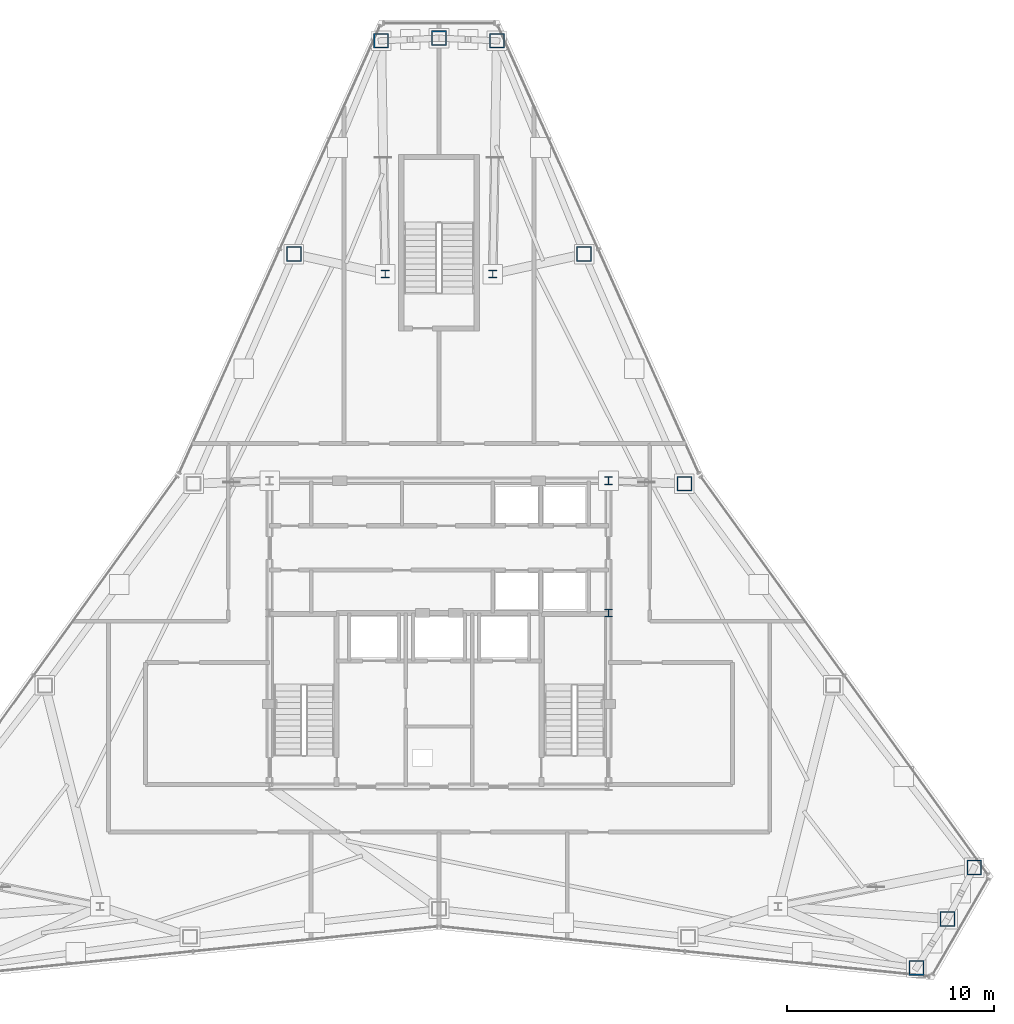
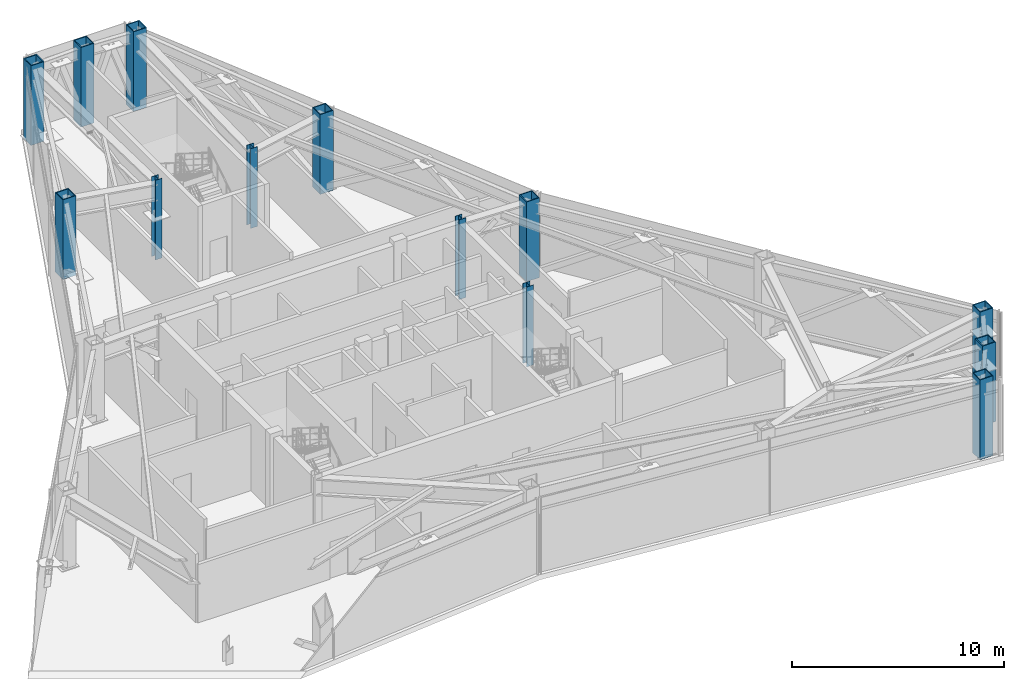
# One storey, part 2 of 12: 13 columns.
"""IFC4 building model written with IfcOpenShell, lengths in metres."""

from ifc_helpers import new_model, si_unit, direction, frame, origin, origin_2d, place, context, subcontext, project, spatial, hollow_rectangle, i_section, extrude, material, material_profile, profile_set, type_object, element, save


model = new_model("IFC4")

# Units and contexts
model_context = context("Model", 3, precision=1e-05, world=origin(), true_north=direction((0.0, 1.0)))
body_context = subcontext(model_context, "Body", "Model", "MODEL_VIEW")
ifc_project = project(units=[si_unit("LENGTHUNIT", "METRE"), si_unit("AREAUNIT", "SQUARE_METRE"), si_unit("VOLUMEUNIT", "CUBIC_METRE"), si_unit("PLANEANGLEUNIT", "RADIAN"), si_unit("MASSUNIT", "GRAM", prefix="KILO")], contexts=[model_context])

# Site, building, storey
site_placement = place(None, origin())
site = spatial("IfcSite", under=ifc_project, at=site_placement, CompositionType="ELEMENT")
building_placement = place(site_placement, origin())
building = spatial("IfcBuilding", under=site, at=building_placement, Name="Varakhsha Concourse Tower", CompositionType="ELEMENT")
storey_placement = place(building_placement, frame((0.0, 0.0, 250.39990234375)))
storey = spatial("IfcBuildingStorey", under=building, at=storey_placement, Name="L71", CompositionType="ELEMENT", Elevation=250.39990234375)

# Columns
ifc_material_1 = material(Name="Structural Steel ASTM A992 Grade 50", Category="steel")
ifc_material_profile_1 = material_profile(ifc_material_1, i_section(OverallWidth=0.3740234375, OverallDepth=0.3720703125, WebThickness=0.01611328125, FlangeThickness=0.02587890625, at=origin_2d()), Name="W14X132")
ifc_profile_set_1 = profile_set([ifc_material_profile_1], Name="Structural Steel ASTM A992 Grade 50")
column_type_1 = type_object("IfcColumnType", Name="CL-CORE-W14X132", PredefinedType="COLUMN", material=ifc_profile_set_1)
for number, where, z_axis, x_axis, name in (
    (1, (48.199951171875, 24.800048828125, 0.0), (0.0, 0.0, 1.0), (1.0, 0.0, 0.0), "L71 Core Column CC-ME"),
    (2, (48.199951171875, 31.199951171875, 0.0), (0.0, 0.0, 1.0), (1.0, 0.0, 0.0), "L71 Core Column CC-NE"),
    (3, (37.39990234375, 41.199951171875, 0.0), (0.0, 0.0, 1.0), (1.0, 0.0, 0.0), "L71 Core Column NS-W"),
    (4, (42.60009765625, 41.199951171875, 0.0), (0.0, 0.0, 1.0), (1.0, 0.0, 0.0), "L71 Core Column NS-E"),
):
    element("IfcColumn", number, at=place(storey_placement, frame(where, z_axis=z_axis, x_axis=x_axis)), inside=storey, type_object=column_type_1, Name=name, PredefinedType="COLUMN", context=body_context, shape_type="SweptSolid", body=[
        extrude(i_section(OverallWidth=0.3740234375, OverallDepth=0.3720703125, WebThickness=0.01611328125, FlangeThickness=0.02587890625, at=origin_2d()), origin(), (0.0, 0.0, 1.0), 4.60009765625),
    ])
ifc_material_2 = material(Name="Structural Steel ASTM A572 Grade 50", Category="steel")
ifc_material_profile_2 = material_profile(ifc_material_2, hollow_rectangle(XDim=0.719970703125, YDim=0.719970703125, WallThickness=0.050048828125, at=origin_2d()), Name="BOX 720x720x50")
ifc_profile_set_2 = profile_set([ifc_material_profile_2], Name="Structural Steel ASTM A572 Grade 50")
column_type_2 = type_object("IfcColumnType", Name="CL-TUBE-720", PredefinedType="COLUMN", material=ifc_profile_set_2)
for number, where, z_axis, x_axis, name in (
    (5, (42.80029296875, 52.489990234375, 0.0), (0.0, 0.0, 1.0), (1.0, 0.0, 0.0), "L71 Framed-Tube Column TC01"),
    (6, (40.0, 52.6171875, 0.0), (0.0, 0.0, 1.0), (1.0, 0.0, 0.0), "L71 Framed-Tube Column TC02"),
    (7, (37.19970703125, 52.489990234375, 0.0), (0.0, 0.0, 1.0), (1.0, 0.0, 0.0), "L71 Framed-Tube Column TC03"),
    (8, (32.977294921875, 42.168701171875, 0.0), (0.0, 0.0, 1.0), (1.0, 0.0, 0.0), "L71 Framed-Tube Column TC04"),
    (9, (63.099609375, 7.6298828125, 0.0), (0.0, 0.0, 1.0), (1.0, 0.0, 0.0), "L71 Framed-Tube Column TC13"),
    (10, (64.60986328125, 9.991455078125, 0.0), (0.0, 0.0, 1.0), (1.0, 0.0, 0.0), "L71 Framed-Tube Column TC14"),
    (11, (65.89990234375, 12.47998046875, 0.0), (0.0, 0.0, 1.0), (1.0, 0.0, 0.0), "L71 Framed-Tube Column TC15"),
    (12, (51.874267578125, 31.0556640625, 0.0), (0.0, 0.0, 1.0), (1.0, 0.0, 0.0), "L71 Framed-Tube Column TC17"),
    (13, (47.022705078125, 42.168701171875, 0.0), (0.0, 0.0, 1.0), (1.0, 0.0, 0.0), "L71 Framed-Tube Column TC18"),
):
    element("IfcColumn", number, at=place(storey_placement, frame(where, z_axis=z_axis, x_axis=x_axis)), inside=storey, type_object=column_type_2, Name=name, PredefinedType="COLUMN", context=body_context, shape_type="SweptSolid", body=[
        extrude(hollow_rectangle(XDim=0.719970703125, YDim=0.719970703125, WallThickness=0.050048828125, at=origin_2d()), origin(), (0.0, 0.0, 1.0), 4.60009765625),
    ])

save(model, "model.ifc")
